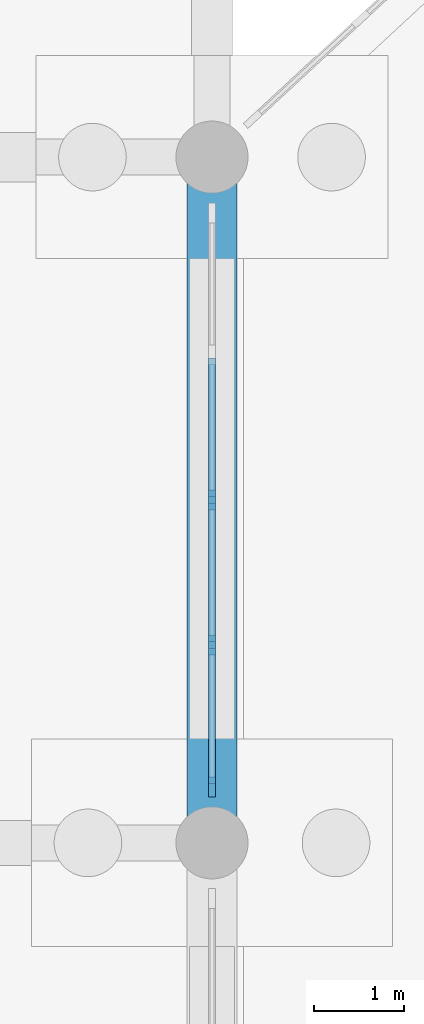
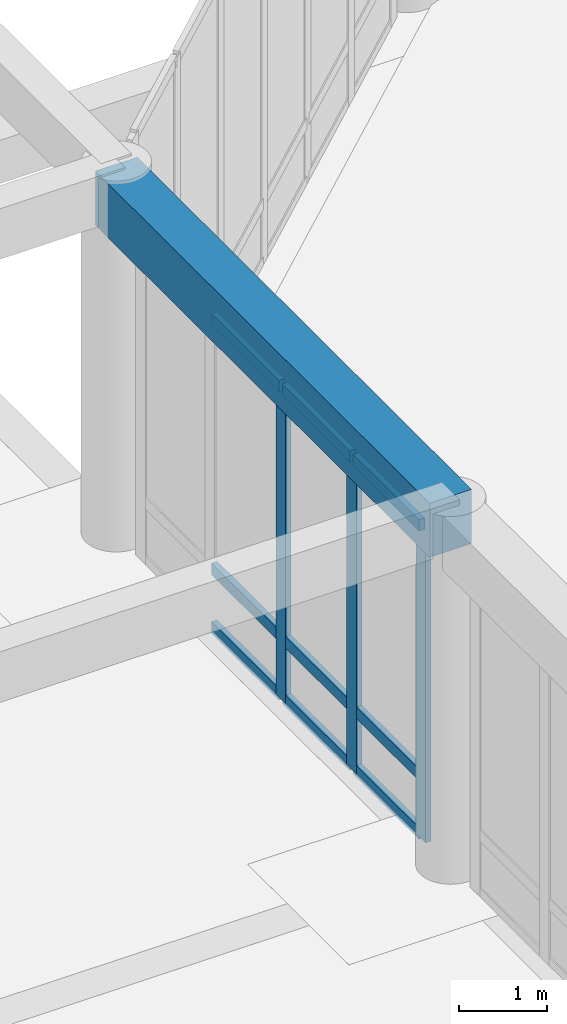
# One storey, part 21 of 64: 12 members, 1 beam, 1 element without a shape of its own.
"""IFC4 building model written with IfcOpenShell, lengths in metres."""

from ifc_helpers import new_model, si_unit, direction, frame, origin, origin_2d, place, context, subcontext, project, spatial, rectangle, extrude, material, material_profile, profile_set, type_object, element, aggregate, save


model = new_model("IFC4")

# Units and contexts
model_context = context("Model", 3, precision=1e-05, world=origin(), true_north=direction((0.0, 1.0)))
body_context = subcontext(model_context, "Body", "Model", "MODEL_VIEW")
ifc_project = project(units=[si_unit("LENGTHUNIT", "METRE"), si_unit("AREAUNIT", "SQUARE_METRE"), si_unit("VOLUMEUNIT", "CUBIC_METRE"), si_unit("PLANEANGLEUNIT", "RADIAN"), si_unit("MASSUNIT", "GRAM", prefix="KILO")], contexts=[model_context])

# Site, building, storey
site_placement = place(None, origin())
site = spatial("IfcSite", under=ifc_project, at=site_placement, CompositionType="ELEMENT")
building_placement = place(site_placement, origin())
building = spatial("IfcBuilding", under=site, at=building_placement, Name="Qandaris Square Conservatory and Botanical Centre", CompositionType="ELEMENT")
storey_placement = place(building_placement, origin())
storey = spatial("IfcBuildingStorey", under=building, at=storey_placement, Name="L00", CompositionType="ELEMENT", Elevation=0.0)

# Curtain wall, members
ifc_material_1 = material(Name="Anodised Aluminium", Category="aluminium")
curtain_wall_type = type_object("IfcCurtainWallType", Name="Unitised Curtain Wall CW-1-644x435", PredefinedType="USERDEFINED", material=ifc_material_1)
curtain_wall_placement = place(storey_placement, origin())
curtain_wall = element("IfcCurtainWall", 1, at=curtain_wall_placement, inside=storey, type_object=curtain_wall_type, Name="Curtain Wall CW-CON-L00-7-1", ObjectType="GLAZED CURTAIN WALL", PredefinedType="USERDEFINED")
ifc_material_profile_1 = material_profile(ifc_material_1, rectangle(XDim=0.074951171875, YDim=0.219970703125, at=origin_2d()), Name="ALU-MUL 75x220")
ifc_profile_set_1 = profile_set([ifc_material_profile_1], Name="Anodised Aluminium")
member_type_1 = type_object("IfcMemberType", Name="Conservatory Heavy Mullion 75x220", PredefinedType="MULLION", material=ifc_profile_set_1)
member_1_placement = place(storey_placement, frame((16.199951171875, 104.0, 0.0), z_axis=(0.0, 0.0, 1.0), x_axis=(1.0, 0.0, 0.0)))
member_1 = element("IfcMember", 2, at=member_1_placement, type_object=member_type_1, Name="CW-1-644x435 mullion 3", PredefinedType="MULLION", context=body_context, shape_type="SweptSolid", body=[
    extrude(rectangle(XDim=0.074951171875, YDim=0.219970703125, at=origin_2d()), origin(), (0.0, 0.0, 1.0), 4.35009765625),
])
member_2_placement = place(storey_placement, frame((16.199951171875, 102.389892578125, 0.0), z_axis=(0.0, 0.0, 1.0), x_axis=(1.0, 0.0, 0.0)))
member_2 = element("IfcMember", 3, at=member_2_placement, type_object=member_type_1, Name="CW-1-644x435 mullion 4", PredefinedType="MULLION", context=body_context, shape_type="SweptSolid", body=[
    extrude(rectangle(XDim=0.074951171875, YDim=0.219970703125, at=origin_2d()), origin(), (0.0, 0.0, 1.0), 4.35009765625),
])
member_3_placement = place(storey_placement, frame((16.199951171875, 100.8173828125, 0.0), z_axis=(0.0, 0.0, 1.0), x_axis=(1.0, 0.0, 0.0)))
member_3 = element("IfcMember", 4, at=member_3_placement, type_object=member_type_1, Name="CW-1-644x435 mullion 5", PredefinedType="MULLION", context=body_context, shape_type="SweptSolid", body=[
    extrude(rectangle(XDim=0.074951171875, YDim=0.219970703125, at=origin_2d()), origin(), (0.0, 0.0, 1.0), 4.35009765625),
])
ifc_material_profile_2 = material_profile(ifc_material_1, rectangle(XDim=0.074951171875, YDim=0.159912109375, at=origin_2d()), Name="ALU-TRN 75x160")
ifc_profile_set_2 = profile_set([ifc_material_profile_2], Name="Anodised Aluminium")
member_type_2 = type_object("IfcMemberType", Name="Conservatory Heavy Transom 75x160", PredefinedType="USERDEFINED", material=ifc_profile_set_2)
member_4_placement = place(storey_placement, frame((16.199951171875, 105.572509765625, 0.03759765625), z_axis=(0.0, -1.0, 0.0), x_axis=(1.0, 0.0, 0.0)))
member_4 = element("IfcMember", 5, at=member_4_placement, type_object=member_type_2, Name="CW-1-644x435 transom 2.1", ObjectType="TRANSOM", PredefinedType="USERDEFINED", context=body_context, shape_type="SweptSolid", body=[
    extrude(rectangle(XDim=0.074951171875, YDim=0.159912109375, at=origin_2d()), origin(), (0.0, 0.0, 1.0), 1.534912109375),
])
member_5_placement = place(storey_placement, frame((16.199951171875, 105.572509765625, 0.85009765625), z_axis=(0.0, -1.0, 0.0), x_axis=(1.0, 0.0, 0.0)))
member_5 = element("IfcMember", 6, at=member_5_placement, type_object=member_type_2, Name="CW-1-644x435 transom 2.2", ObjectType="TRANSOM", PredefinedType="USERDEFINED", context=body_context, shape_type="SweptSolid", body=[
    extrude(rectangle(XDim=0.074951171875, YDim=0.159912109375, at=origin_2d()), origin(), (0.0, 0.0, 1.0), 1.534912109375),
])
member_6_placement = place(storey_placement, frame((16.199951171875, 105.572509765625, 4.3125), z_axis=(0.0, -1.0, 0.0), x_axis=(1.0, 0.0, 0.0)))
member_6 = element("IfcMember", 7, at=member_6_placement, type_object=member_type_2, Name="CW-1-644x435 transom 2.3", ObjectType="TRANSOM", PredefinedType="USERDEFINED", context=body_context, shape_type="SweptSolid", body=[
    extrude(rectangle(XDim=0.074951171875, YDim=0.159912109375, at=origin_2d()), origin(), (0.0, 0.0, 1.0), 1.534912109375),
])
member_7_placement = place(storey_placement, frame((16.199951171875, 103.96240234375, 0.03759765625), z_axis=(0.0, -1.0, 0.0), x_axis=(1.0, 0.0, 0.0)))
member_7 = element("IfcMember", 8, at=member_7_placement, type_object=member_type_2, Name="CW-1-644x435 transom 3.1", ObjectType="TRANSOM", PredefinedType="USERDEFINED", context=body_context, shape_type="SweptSolid", body=[
    extrude(rectangle(XDim=0.074951171875, YDim=0.159912109375, at=origin_2d()), origin(), (0.0, 0.0, 1.0), 1.534912109375),
])
member_8_placement = place(storey_placement, frame((16.199951171875, 103.96240234375, 0.85009765625), z_axis=(0.0, -1.0, 0.0), x_axis=(1.0, 0.0, 0.0)))
member_8 = element("IfcMember", 9, at=member_8_placement, type_object=member_type_2, Name="CW-1-644x435 transom 3.2", ObjectType="TRANSOM", PredefinedType="USERDEFINED", context=body_context, shape_type="SweptSolid", body=[
    extrude(rectangle(XDim=0.074951171875, YDim=0.159912109375, at=origin_2d()), origin(), (0.0, 0.0, 1.0), 1.534912109375),
])
member_9_placement = place(storey_placement, frame((16.199951171875, 103.96240234375, 4.3125), z_axis=(0.0, -1.0, 0.0), x_axis=(1.0, 0.0, 0.0)))
member_9 = element("IfcMember", 10, at=member_9_placement, type_object=member_type_2, Name="CW-1-644x435 transom 3.3", ObjectType="TRANSOM", PredefinedType="USERDEFINED", context=body_context, shape_type="SweptSolid", body=[
    extrude(rectangle(XDim=0.074951171875, YDim=0.159912109375, at=origin_2d()), origin(), (0.0, 0.0, 1.0), 1.534912109375),
])
member_10_placement = place(storey_placement, frame((16.199951171875, 102.3525390625, 0.03759765625), z_axis=(0.0, -1.0, 0.0), x_axis=(1.0, 0.0, 0.0)))
member_10 = element("IfcMember", 11, at=member_10_placement, type_object=member_type_2, Name="CW-1-644x435 transom 4.1", ObjectType="TRANSOM", PredefinedType="USERDEFINED", context=body_context, shape_type="SweptSolid", body=[
    extrude(rectangle(XDim=0.074951171875, YDim=0.159912109375, at=origin_2d()), origin(), (0.0, 0.0, 1.0), 1.49755859375),
])
member_11_placement = place(storey_placement, frame((16.199951171875, 102.3525390625, 0.85009765625), z_axis=(0.0, -1.0, 0.0), x_axis=(1.0, 0.0, 0.0)))
member_11 = element("IfcMember", 12, at=member_11_placement, type_object=member_type_2, Name="CW-1-644x435 transom 4.2", ObjectType="TRANSOM", PredefinedType="USERDEFINED", context=body_context, shape_type="SweptSolid", body=[
    extrude(rectangle(XDim=0.074951171875, YDim=0.159912109375, at=origin_2d()), origin(), (0.0, 0.0, 1.0), 1.49755859375),
])
member_12_placement = place(storey_placement, frame((16.199951171875, 102.3525390625, 4.3125), z_axis=(0.0, -1.0, 0.0), x_axis=(1.0, 0.0, 0.0)))
member_12 = element("IfcMember", 13, at=member_12_placement, type_object=member_type_2, Name="CW-1-644x435 transom 4.3", ObjectType="TRANSOM", PredefinedType="USERDEFINED", context=body_context, shape_type="SweptSolid", body=[
    extrude(rectangle(XDim=0.074951171875, YDim=0.159912109375, at=origin_2d()), origin(), (0.0, 0.0, 1.0), 1.49755859375),
])
aggregate(curtain_wall, [member_1, member_2, member_3, member_4, member_5, member_6, member_7, member_8, member_9, member_10, member_11, member_12])

# Beam
ifc_material_2 = material(Name="Concrete C50/60", Category="concrete")
ifc_material_profile_3 = material_profile(ifc_material_2, rectangle(XDim=0.550048828125, YDim=0.75, at=origin_2d()), Name="RC-BM 550x750")
ifc_profile_set_3 = profile_set([ifc_material_profile_3], Name="Concrete C50/60")
beam_type = type_object("IfcBeamType", Name="RC Plinth Girder 550x750", PredefinedType="BEAM", material=ifc_profile_set_3)
beam_placement = place(storey_placement, frame((16.199951171875, 100.199951171875, 4.72509765625), z_axis=(0.0, 1.0, 0.0), x_axis=(-1.0, 0.0, 0.0)))
element("IfcBeam", 14, at=beam_placement, inside=storey, type_object=beam_type, Name="L00 Frame Beam 0527", PredefinedType="BEAM", context=body_context, shape_type="SweptSolid", body=[
    extrude(rectangle(XDim=0.550048828125, YDim=0.75, at=origin_2d()), origin(), (0.0, 0.0, 1.0), 7.60009765625),
])

save(model, "model.ifc")
